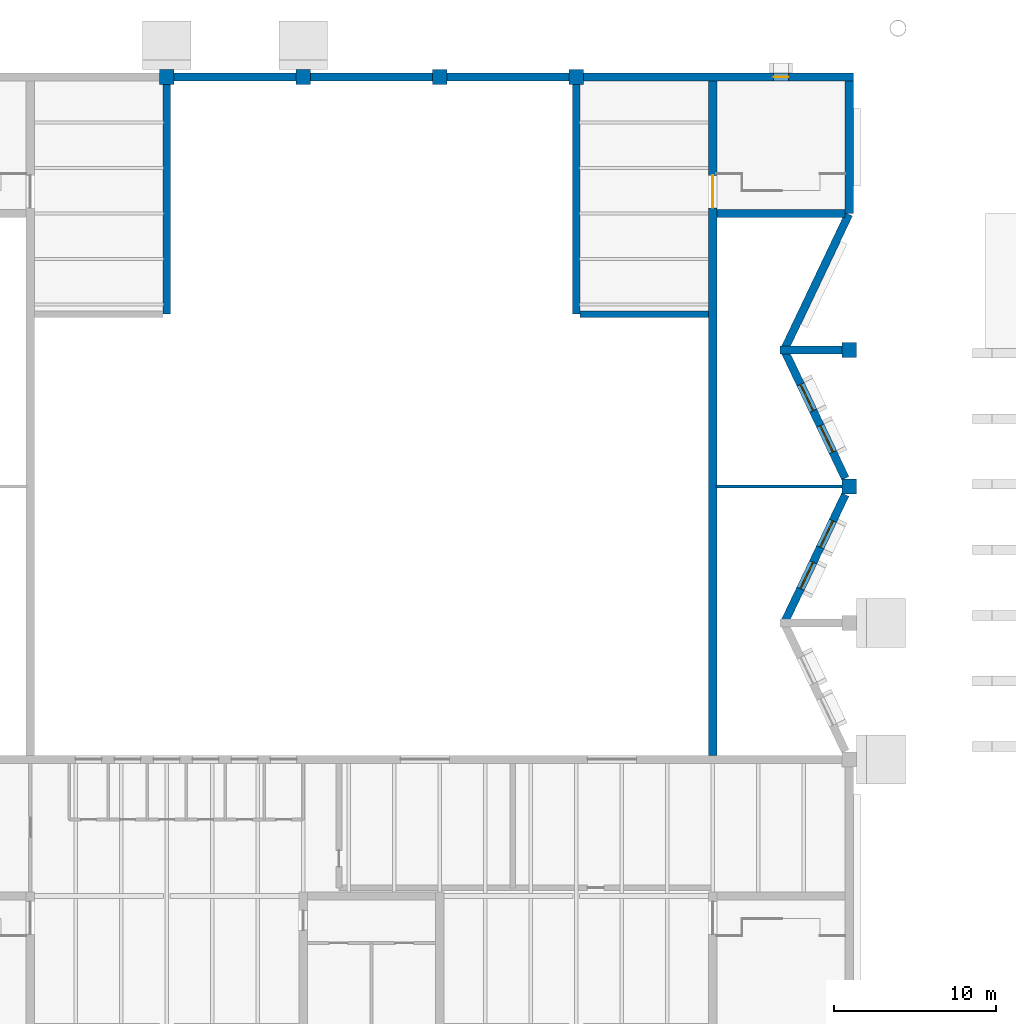
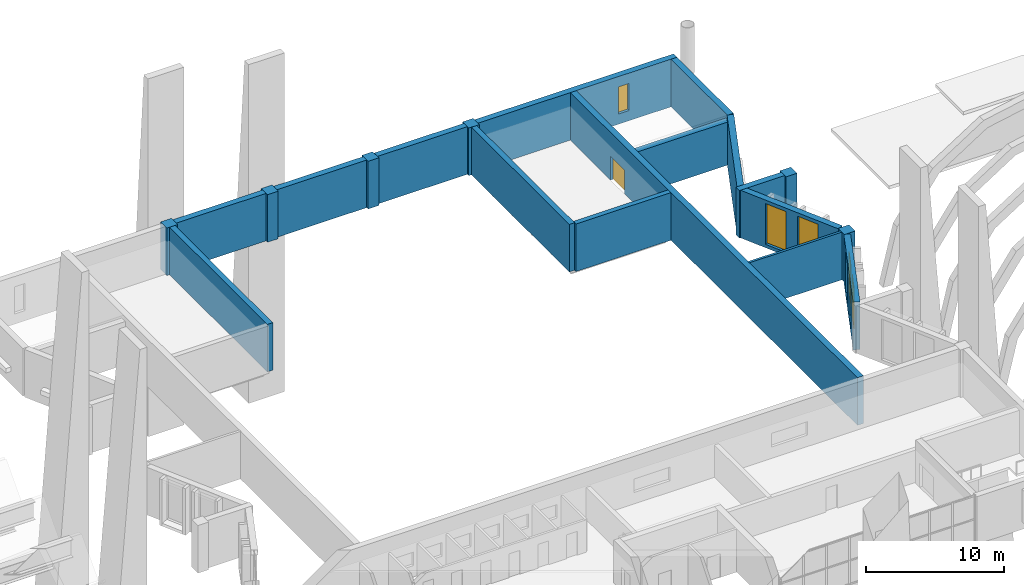
# One storey, part 64 of 88: 21 walls, 5 windows, 1 door, 6 openings.
"""IFC4 building model written with IfcOpenShell, lengths in metres."""

from ifc_helpers import new_model, si_unit, direction, frame, frame_2d, origin, place, context, subcontext, project, spatial, rectangle, extrude, material, layer, layer_set, type_object, element, fill, save


model = new_model("IFC4")

# Units and contexts
model_context = context("Model", 3, precision=1e-05, world=origin(), true_north=direction((0.0, 1.0)))
body_context = subcontext(model_context, "Body", "Model", "MODEL_VIEW")
ifc_project = project(units=[si_unit("LENGTHUNIT", "METRE"), si_unit("AREAUNIT", "SQUARE_METRE"), si_unit("VOLUMEUNIT", "CUBIC_METRE"), si_unit("PLANEANGLEUNIT", "RADIAN"), si_unit("MASSUNIT", "GRAM", prefix="KILO")], contexts=[model_context])

# Site, building, storey
site_placement = place(None, origin())
site = spatial("IfcSite", under=ifc_project, at=site_placement, CompositionType="ELEMENT")
building_placement = place(site_placement, origin())
building = spatial("IfcBuilding", under=site, at=building_placement, Name="Cresset Court Congress Hotel", CompositionType="ELEMENT")
storey_placement = place(building_placement, frame((0.0, 0.0, 14.39990234375)))
storey = spatial("IfcBuildingStorey", under=building, at=storey_placement, Name="L03", CompositionType="ELEMENT", Elevation=14.39990234375)

# Walls
ifc_material_1 = material(Name="Concrete C50", Category="concrete")
ifc_layer_1 = layer(ifc_material_1, 0.449951171875)
ifc_layer_set_1 = layer_set([ifc_layer_1], Name="Fly-tower wall 450")
wall_type_1 = type_object("IfcWallType", Name="Fly-tower wall 450", PredefinedType="SOLIDWALL", material=ifc_layer_set_1)
for number, where, z_axis, x_axis, name in (
    (1, (75.60009765625, 103.0, 0.0), (0.0, 0.0, 1.0), (0.0, 1.0, 0.0), "Wall CS-1L03"),
    (2, (100.800048828125, 103.0, 0.0), (0.0, 0.0, 1.0), (0.0, 1.0, 0.0), "Wall CS-2L03"),
):
    element("IfcWall", number, at=place(storey_placement, frame(where, z_axis=z_axis, x_axis=x_axis)), inside=storey, type_object=wall_type_1, Name=name, PredefinedType="SOLIDWALL", context=body_context, shape_type="SweptSolid", body=[
        extrude(rectangle(XDim=14.14990234375, YDim=0.449951171875, at=frame_2d((7.074951171875, 0.0))), origin(), (0.0, 0.0, 1.0), 4.2001953125),
    ])
ifc_material_2 = material(Name="Concrete C35", Category="concrete")
ifc_layer_2 = layer(ifc_material_2, 0.199951171875)
ifc_layer_set_2 = layer_set([ifc_layer_2], Name="Gallery cross wall 200")
wall_type_2 = type_object("IfcWallType", Name="Gallery cross wall 200", PredefinedType="PARTITIONING", material=ifc_layer_set_2)
wall_1_placement = place(storey_placement, frame((109.39990234375, 92.39990234375, 0.0), z_axis=(0.0, 0.0, 1.0), x_axis=(1.0, 0.0, 0.0)))
element("IfcWall", 3, at=wall_1_placement, inside=storey, type_object=wall_type_2, Name="Wall CP-galEL03", PredefinedType="PARTITIONING", context=body_context, shape_type="SweptSolid", body=[
    extrude(rectangle(XDim=7.75, YDim=0.199951171875, at=frame_2d((3.875, 0.0))), origin(), (0.0, 0.0, 1.0), 4.2001953125),
])

# Wall, opening, door
ifc_material_3 = material(Name="Concrete C50", Category="concrete")
ifc_layer_3 = layer(ifc_material_3, 0.5)
ifc_layer_set_3 = layer_set([ifc_layer_3], Name="Hall inner wall 500")
wall_type_3 = type_object("IfcWallType", Name="Hall inner wall 500", PredefinedType="SOLIDWALL", material=ifc_layer_set_3)
wall_2_placement = place(storey_placement, frame((109.199951171875, 117.35009765625, 0.0), z_axis=(0.0, 0.0, 1.0), x_axis=(0.0, -1.0, 0.0)))
wall_2 = element("IfcWall", 4, at=wall_2_placement, inside=storey, type_object=wall_type_3, Name="Wall CI-EL03", PredefinedType="SOLIDWALL", context=body_context, shape_type="SweptSolid", body=[
    extrude(rectangle(XDim=41.5, YDim=0.5, at=frame_2d((20.75, 0.0))), origin(), (0.0, 0.0, 1.0), 4.2001953125),
])
opening_1_placement = place(wall_2_placement, frame((5.800048828125, 0.0, 0.0)))
opening_1 = element("IfcOpeningElement", 5, at=opening_1_placement, cuts=wall_2, Name="Opening DC-03-04", PredefinedType="OPENING", context=body_context, shape_type="SweptSolid", body=[
    extrude(rectangle(XDim=2.0, YDim=2.10009765625, at=frame_2d((1.0, 1.050048828125))), frame((0.0, 0.260009765625, 0.0), z_axis=(0.0, -1.0, 0.0), x_axis=(1.0, 0.0, 0.0)), (0.0, 0.0, 1.0), 0.52001953125),
])
ifc_material_4 = material(Name="Timber", Category="wood")
door_type = type_object("IfcDoorType", Name="Double swing door 2000x2100 FD60", OperationType="DOUBLE_DOOR_DOUBLE_SWING", PredefinedType="DOOR", material=ifc_material_4)
door_placement = place(opening_1_placement, origin())
door = element("IfcDoor", 6, at=door_placement, inside=storey, type_object=door_type, Name="Stair door ST-C4 L03", OperationType="DOUBLE_DOOR_DOUBLE_SWING", OverallHeight=2.10009765625, OverallWidth=2.0, PredefinedType="DOOR", context=body_context, shape_type="SweptSolid", body=[
    extrude(rectangle(XDim=2.0, YDim=2.10009765625, at=frame_2d((1.0, 1.050048828125))), frame((0.0, 0.02490234375, 0.0), z_axis=(0.0, -1.0, 0.0), x_axis=(1.0, 0.0, 0.0)), (0.0, 0.0, 1.0), 0.050048828125),
])
fill(opening_1, door)

# Wall
wall_3_placement = place(storey_placement, frame((109.449951171875, 109.199951171875, 0.0), z_axis=(0.0, 0.0, 1.0), x_axis=(1.0, 0.0, 0.0)))
element("IfcWall", 7, at=wall_3_placement, inside=storey, type_object=wall_type_3, Name="Wall CC-C4SL03", PredefinedType="SOLIDWALL", context=body_context, shape_type="SweptSolid", body=[
    extrude(rectangle(XDim=7.900146484375, YDim=0.5, at=frame_2d((3.9501953125, 0.0))), origin(), (0.0, 0.0, 1.0), 3.800048828125),
])

# Wall, openings, windows
ifc_material_5 = material(Name="Limestone-faced precast concrete C50", Category="masonry")
ifc_layer_4 = layer(ifc_material_5, 0.5)
ifc_layer_set_4 = layer_set([ifc_layer_4], Name="Hall perimeter wall 500")
wall_type_4 = type_object("IfcWallType", Name="Hall perimeter wall 500", PredefinedType="SOLIDWALL", material=ifc_layer_set_4)
wall_4_placement = place(storey_placement, frame((117.36181640625, 91.89990234375, 0.0), z_axis=(0.0, 0.0, 1.0), x_axis=(-0.429922557701, -0.902865767642, 0.0)))
wall_4 = element("IfcWall", 8, at=wall_4_placement, inside=storey, type_object=wall_type_4, Name="Wall CW-EL03-3", PredefinedType="SOLIDWALL", context=body_context, shape_type="SweptSolid", body=[
    extrude(rectangle(XDim=8.59765625, YDim=0.5, at=frame_2d((4.298828125, 0.0))), origin(), (0.0, 0.0, 1.0), 4.2001953125),
])
opening_2_placement = place(wall_4_placement, frame((4.6103515625, 0.0, 0.300048828125)))
opening_2 = element("IfcOpeningElement", 9, at=opening_2_placement, cuts=wall_4, Name="Opening NC-03-E0281", PredefinedType="OPENING", context=body_context, shape_type="SweptSolid", body=[
    extrude(rectangle(XDim=1.800048828125, YDim=3.60009765625, at=frame_2d((0.89990234375, 1.800048828125))), frame((0.0, 0.260009765625, 0.0), z_axis=(0.0, -1.0, 0.0), x_axis=(1.0, 0.0, 0.0)), (0.0, 0.0, 1.0), 0.52001953125),
])
opening_3_placement = place(wall_4_placement, frame((1.785888671875, 0.0, 0.300048828125)))
opening_3 = element("IfcOpeningElement", 10, at=opening_3_placement, cuts=wall_4, Name="Opening NC-03-E0306", PredefinedType="OPENING", context=body_context, shape_type="SweptSolid", body=[
    extrude(rectangle(XDim=1.800048828125, YDim=3.60009765625, at=frame_2d((0.89990234375, 1.800048828125))), frame((0.0, 0.260009765625, 0.0), z_axis=(0.0, -1.0, 0.0), x_axis=(1.0, 0.0, 0.0)), (0.0, 0.0, 1.0), 0.52001953125),
])
ifc_material_6 = material(Name="Aluminium and glass", Category="aluminium")
window_type_1 = type_object("IfcWindowType", Name="Fixed window 1800x3600", PartitioningType="SINGLE_PANEL", PredefinedType="WINDOW", material=ifc_material_6)
window_1_placement = place(opening_2_placement, origin())
window_1 = element("IfcWindow", 11, at=window_1_placement, inside=storey, type_object=window_type_1, Name="Window NC-03-E0281", OverallHeight=3.60009765625, OverallWidth=1.800048828125, PartitioningType="SINGLE_PANEL", PredefinedType="WINDOW", context=body_context, shape_type="SweptSolid", body=[
    extrude(rectangle(XDim=1.800048828125, YDim=3.60009765625, at=frame_2d((0.89990234375, 1.800048828125))), frame((0.0, 0.030029296875, 0.0), z_axis=(0.0, -1.0, 0.0), x_axis=(1.0, 0.0, 0.0)), (0.0, 0.0, 1.0), 0.06005859375),
])
fill(opening_2, window_1)
window_2_placement = place(opening_3_placement, origin())
window_2 = element("IfcWindow", 12, at=window_2_placement, inside=storey, type_object=window_type_1, Name="Window NC-03-E0306", OverallHeight=3.60009765625, OverallWidth=1.800048828125, PartitioningType="SINGLE_PANEL", PredefinedType="WINDOW", context=body_context, shape_type="SweptSolid", body=[
    extrude(rectangle(XDim=1.800048828125, YDim=3.60009765625, at=frame_2d((0.89990234375, 1.800048828125))), frame((0.0, 0.030029296875, 0.0), z_axis=(0.0, -1.0, 0.0), x_axis=(1.0, 0.0, 0.0)), (0.0, 0.0, 1.0), 0.06005859375),
])
fill(opening_3, window_2)

wall_5_placement = place(storey_placement, frame((113.66552734375, 100.66259765625, 0.0), z_axis=(0.0, 0.0, 1.0), x_axis=(0.429911535511, -0.902871016057, 0.0)))
wall_5 = element("IfcWall", 13, at=wall_5_placement, inside=storey, type_object=wall_type_4, Name="Wall CW-EL03-4", PredefinedType="SOLIDWALL", context=body_context, shape_type="SweptSolid", body=[
    extrude(rectangle(XDim=8.597900390625, YDim=0.5, at=frame_2d((4.298828125, 0.0))), origin(), (0.0, 0.0, 1.0), 4.2001953125),
])
opening_4_placement = place(wall_5_placement, frame((5.01171875, 0.0, 0.300048828125)))
opening_4 = element("IfcOpeningElement", 14, at=opening_4_placement, cuts=wall_5, Name="Opening NC-03-E0365", PredefinedType="OPENING", context=body_context, shape_type="SweptSolid", body=[
    extrude(rectangle(XDim=1.800048828125, YDim=3.60009765625, at=frame_2d((0.89990234375, 1.800048828125))), frame((0.0, 0.260009765625, 0.0), z_axis=(0.0, -1.0, 0.0), x_axis=(1.0, 0.0, 0.0)), (0.0, 0.0, 1.0), 0.52001953125),
])
opening_5_placement = place(wall_5_placement, frame((2.1875, 0.0, 0.300048828125)))
opening_5 = element("IfcOpeningElement", 15, at=opening_5_placement, cuts=wall_5, Name="Opening NC-03-E0390", PredefinedType="OPENING", context=body_context, shape_type="SweptSolid", body=[
    extrude(rectangle(XDim=1.800048828125, YDim=3.60009765625, at=frame_2d((0.89990234375, 1.800048828125))), frame((0.0, 0.260009765625, 0.0), z_axis=(0.0, -1.0, 0.0), x_axis=(1.0, 0.0, 0.0)), (0.0, 0.0, 1.0), 0.52001953125),
])
window_3_placement = place(opening_4_placement, origin())
window_3 = element("IfcWindow", 16, at=window_3_placement, inside=storey, type_object=window_type_1, Name="Window NC-03-E0365", OverallHeight=3.60009765625, OverallWidth=1.800048828125, PartitioningType="SINGLE_PANEL", PredefinedType="WINDOW", context=body_context, shape_type="SweptSolid", body=[
    extrude(rectangle(XDim=1.800048828125, YDim=3.60009765625, at=frame_2d((0.89990234375, 1.800048828125))), frame((0.0, 0.030029296875, 0.0), z_axis=(0.0, -1.0, 0.0), x_axis=(1.0, 0.0, 0.0)), (0.0, 0.0, 1.0), 0.06005859375),
])
fill(opening_4, window_3)
window_4_placement = place(opening_5_placement, origin())
window_4 = element("IfcWindow", 17, at=window_4_placement, inside=storey, type_object=window_type_1, Name="Window NC-03-E0390", OverallHeight=3.60009765625, OverallWidth=1.800048828125, PartitioningType="SINGLE_PANEL", PredefinedType="WINDOW", context=body_context, shape_type="SweptSolid", body=[
    extrude(rectangle(XDim=1.800048828125, YDim=3.60009765625, at=frame_2d((0.89990234375, 1.800048828125))), frame((0.0, 0.030029296875, 0.0), z_axis=(0.0, -1.0, 0.0), x_axis=(1.0, 0.0, 0.0)), (0.0, 0.0, 1.0), 0.06005859375),
])
fill(opening_5, window_4)

# Walls
wall_6_placement = place(storey_placement, frame((117.576171875, 109.14990234375, 0.0), z_axis=(0.0, 0.0, 1.0), x_axis=(-0.429931496654, -0.902861511077, 0.0)))
element("IfcWall", 18, at=wall_6_placement, inside=storey, type_object=wall_type_4, Name="Wall CW-EL03-5.1", PredefinedType="SOLIDWALL", context=body_context, shape_type="SweptSolid", body=[
    extrude(rectangle(XDim=9.095947265625, YDim=0.5, at=frame_2d((4.5478515625, 0.0))), origin(), (0.0, 0.0, 1.0), 4.2001953125),
])
wall_7_placement = place(storey_placement, frame((117.60009765625, 117.35009765625, 0.0), z_axis=(0.0, 0.0, 1.0), x_axis=(0.0, -1.0, 0.0)))
element("IfcWall", 19, at=wall_7_placement, inside=storey, type_object=wall_type_4, Name="Wall CW-EL03-5.2", PredefinedType="SOLIDWALL", context=body_context, shape_type="SweptSolid", body=[
    extrude(rectangle(XDim=8.150146484375, YDim=0.5, at=frame_2d((4.0751953125, 0.0))), origin(), (0.0, 0.0, 1.0), 4.2001953125),
])
wall_8_placement = place(storey_placement, frame((113.35009765625, 100.800048828125, 0.0), z_axis=(0.0, 0.0, 1.0), x_axis=(1.0, 0.0, 0.0)))
element("IfcWall", 20, at=wall_8_placement, inside=storey, type_object=wall_type_4, Name="Wall CW-EL03-R2", PredefinedType="SOLIDWALL", context=body_context, shape_type="SweptSolid", body=[
    extrude(rectangle(XDim=3.7998046875, YDim=0.5, at=frame_2d((1.89990234375, 0.0))), origin(), (0.0, 0.0, 1.0), 4.2001953125),
])

# Wall, opening, window
wall_9_placement = place(storey_placement, frame((101.25, 117.60009765625, 0.0), z_axis=(0.0, 0.0, 1.0), x_axis=(1.0, 0.0, 0.0)))
wall_9 = element("IfcWall", 21, at=wall_9_placement, inside=storey, type_object=wall_type_4, Name="Wall CW-NL03-1", PredefinedType="SOLIDWALL", context=body_context, shape_type="SweptSolid", body=[
    extrude(rectangle(XDim=16.60009765625, YDim=0.5, at=frame_2d((8.300048828125, 0.0))), origin(), (0.0, 0.0, 1.0), 4.2001953125),
])
opening_6_placement = place(wall_9_placement, frame((11.699951171875, 0.0, 0.89990234375)))
opening_6 = element("IfcOpeningElement", 22, at=opening_6_placement, cuts=wall_9, Name="Opening NC-03-C4", PredefinedType="OPENING", context=body_context, shape_type="SweptSolid", body=[
    extrude(rectangle(XDim=0.89990234375, YDim=2.39990234375, at=frame_2d((0.449951171875, 1.199951171875))), frame((0.0, 0.260009765625, 0.0), z_axis=(0.0, -1.0, 0.0), x_axis=(1.0, 0.0, 0.0)), (0.0, 0.0, 1.0), 0.52001953125),
])
ifc_material_7 = material(Name="Aluminium and glass", Category="aluminium")
window_type_2 = type_object("IfcWindowType", Name="Fixed window 900x2400", PartitioningType="SINGLE_PANEL", PredefinedType="WINDOW", material=ifc_material_7)
window_5_placement = place(opening_6_placement, origin())
window_5 = element("IfcWindow", 23, at=window_5_placement, inside=storey, type_object=window_type_2, Name="Window NC-03-C4", OverallHeight=2.39990234375, OverallWidth=0.89990234375, PartitioningType="SINGLE_PANEL", PredefinedType="WINDOW", context=body_context, shape_type="SweptSolid", body=[
    extrude(rectangle(XDim=0.89990234375, YDim=2.39990234375, at=frame_2d((0.449951171875, 1.199951171875))), frame((0.0, 0.030029296875, 0.0), z_axis=(0.0, -1.0, 0.0), x_axis=(1.0, 0.0, 0.0)), (0.0, 0.0, 1.0), 0.06005859375),
])
fill(opening_6, window_5)

# Walls
for number, where, z_axis, x_axis, name in (
    (24, (92.85009765625, 117.60009765625, 0.0), (0.0, 0.0, 1.0), (1.0, 0.0, 0.0), "Wall CW-NL03-2"),
    (25, (84.449951171875, 117.60009765625, 0.0), (0.0, 0.0, 1.0), (1.0, 0.0, 0.0), "Wall CW-NL03-3"),
    (26, (76.050048828125, 117.60009765625, 0.0), (0.0, 0.0, 1.0), (1.0, 0.0, 0.0), "Wall CW-NL03-4"),
):
    element("IfcWall", number, at=place(storey_placement, frame(where, z_axis=z_axis, x_axis=x_axis)), inside=storey, type_object=wall_type_4, Name=name, PredefinedType="SOLIDWALL", context=body_context, shape_type="SweptSolid", body=[
        extrude(rectangle(XDim=7.5, YDim=0.5, at=frame_2d((3.75, 0.0))), origin(), (0.0, 0.0, 1.0), 4.2001953125),
    ])
ifc_material_8 = material(Name="Concrete C50", Category="concrete")
ifc_layer_5 = layer(ifc_material_8, 0.89990234375)
ifc_layer_set_5 = layer_set([ifc_layer_5], Name="Hall pilaster 900x900")
wall_type_5 = type_object("IfcWallType", Name="Hall pilaster 900x900", PredefinedType="SOLIDWALL", material=ifc_layer_set_5)
wall_10_placement = place(storey_placement, frame((117.60009765625, 91.949951171875, 0.0), z_axis=(0.0, 0.0, 1.0), x_axis=(0.0, 1.0, 0.0)))
element("IfcWall", 27, at=wall_10_placement, inside=storey, type_object=wall_type_5, Name="Pilaster P-E3", PredefinedType="SOLIDWALL", context=body_context, shape_type="SweptSolid", body=[
    extrude(rectangle(XDim=0.900146484375, YDim=0.89990234375, at=frame_2d((0.4501953125, 0.0))), origin(), (0.0, 0.0, 1.0), 4.2001953125),
])
for number, where, z_axis, x_axis, name in (
    (28, (117.60009765625, 100.35009765625, 0.0), (0.0, 0.0, 1.0), (0.0, 1.0, 0.0), "Pilaster P-E4"),
    (29, (101.25, 117.60009765625, 0.0), (0.0, 0.0, 1.0), (-1.0, 0.0, 0.0), "Pilaster P-N1"),
):
    element("IfcWall", number, at=place(storey_placement, frame(where, z_axis=z_axis, x_axis=x_axis)), inside=storey, type_object=wall_type_5, Name=name, PredefinedType="SOLIDWALL", context=body_context, shape_type="SweptSolid", body=[
        extrude(rectangle(XDim=0.89990234375, YDim=0.89990234375, at=frame_2d((0.449951171875, 0.0))), origin(), (0.0, 0.0, 1.0), 4.2001953125),
    ])
wall_11_placement = place(storey_placement, frame((92.85009765625, 117.60009765625, 0.0), z_axis=(0.0, 0.0, 1.0), x_axis=(-1.0, 0.0, 0.0)))
element("IfcWall", 30, at=wall_11_placement, inside=storey, type_object=wall_type_5, Name="Pilaster P-N2", PredefinedType="SOLIDWALL", context=body_context, shape_type="SweptSolid", body=[
    extrude(rectangle(XDim=0.900146484375, YDim=0.89990234375, at=frame_2d((0.4501953125, 0.0))), origin(), (0.0, 0.0, 1.0), 4.2001953125),
])
wall_12_placement = place(storey_placement, frame((84.449951171875, 117.60009765625, 0.0), z_axis=(0.0, 0.0, 1.0), x_axis=(-1.0, 0.0, 0.0)))
element("IfcWall", 31, at=wall_12_placement, inside=storey, type_object=wall_type_5, Name="Pilaster P-N3", PredefinedType="SOLIDWALL", context=body_context, shape_type="SweptSolid", body=[
    extrude(rectangle(XDim=0.89990234375, YDim=0.89990234375, at=frame_2d((0.449951171875, 0.0))), origin(), (0.0, 0.0, 1.0), 4.2001953125),
])
wall_13_placement = place(storey_placement, frame((76.050048828125, 117.60009765625, 0.0), z_axis=(0.0, 0.0, 1.0), x_axis=(-1.0, 0.0, 0.0)))
element("IfcWall", 32, at=wall_13_placement, inside=storey, type_object=wall_type_5, Name="Pilaster P-N4", PredefinedType="SOLIDWALL", context=body_context, shape_type="SweptSolid", body=[
    extrude(rectangle(XDim=0.900146484375, YDim=0.89990234375, at=frame_2d((0.4501953125, 0.0))), origin(), (0.0, 0.0, 1.0), 4.2001953125),
])
ifc_material_9 = material(Name="Concrete C50", Category="concrete")
ifc_layer_6 = layer(ifc_material_9, 0.39990234375)
ifc_layer_set_6 = layer_set([ifc_layer_6], Name="Hall stage wall 400")
wall_type_6 = type_object("IfcWallType", Name="Hall stage wall 400", PredefinedType="SOLIDWALL", material=ifc_layer_set_6)
wall_14_placement = place(storey_placement, frame((101.02490234375, 103.0, 0.0), z_axis=(0.0, 0.0, 1.0), x_axis=(1.0, 0.0, 0.0)))
element("IfcWall", 33, at=wall_14_placement, inside=storey, type_object=wall_type_6, Name="Wall CW-2L03", PredefinedType="SOLIDWALL", context=body_context, shape_type="SweptSolid", body=[
    extrude(rectangle(XDim=7.925048828125, YDim=0.39990234375, at=frame_2d((3.96240234375, 0.0))), origin(), (0.0, 0.0, 1.0), 4.2001953125),
])

save(model, "model.ifc")
